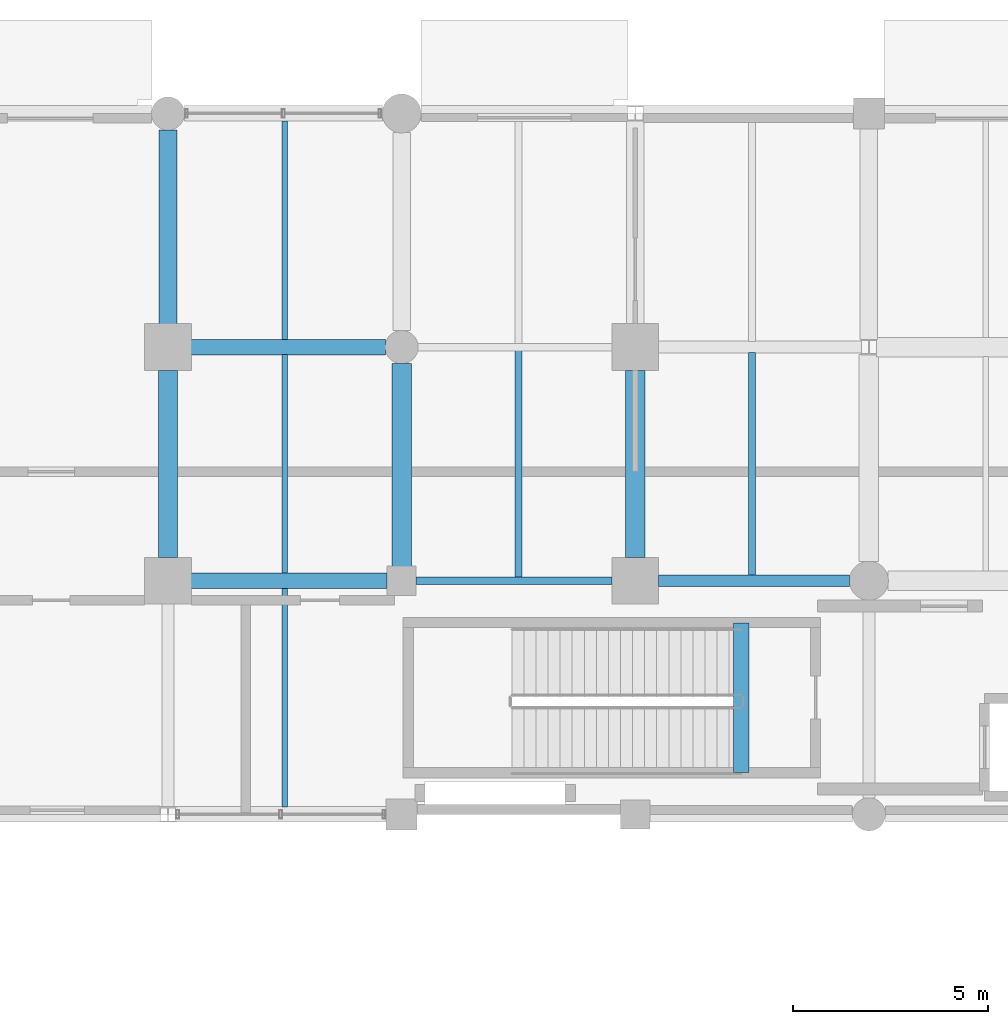
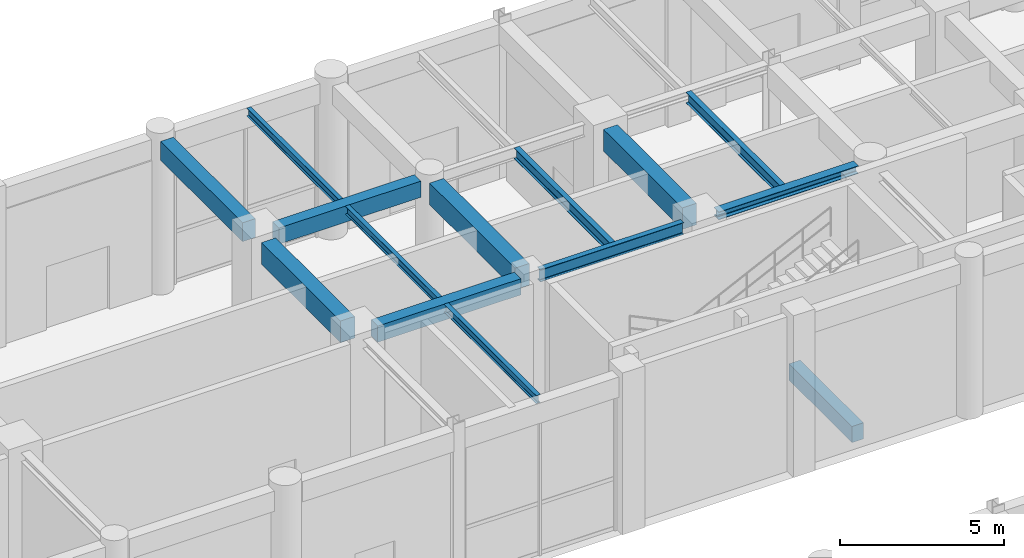
# One storey, part 48 of 106: 14 beams.
"""IFC4 building model written with IfcOpenShell, lengths in metres."""

from ifc_helpers import new_model, si_unit, direction, frame, origin, origin_2d, place, context, subcontext, project, spatial, rectangle, i_section, extrude, material, material_profile, profile_set, type_object, element, save


model = new_model("IFC4")

# Units and contexts
model_context = context("Model", 3, precision=1e-05, world=origin(), true_north=direction((0.0, 1.0)))
body_context = subcontext(model_context, "Body", "Model", "MODEL_VIEW")
ifc_project = project(units=[si_unit("LENGTHUNIT", "METRE"), si_unit("AREAUNIT", "SQUARE_METRE"), si_unit("VOLUMEUNIT", "CUBIC_METRE"), si_unit("PLANEANGLEUNIT", "RADIAN"), si_unit("MASSUNIT", "GRAM", prefix="KILO"), si_unit("THERMODYNAMICTEMPERATUREUNIT", "KELVIN"), si_unit("POWERUNIT", "WATT")], contexts=[model_context])

# Site, building, storey
site_placement = place(None, origin())
site = spatial("IfcSite", under=ifc_project, at=site_placement, CompositionType="ELEMENT")
building_placement = place(site_placement, origin())
building = spatial("IfcBuilding", under=site, at=building_placement, Name="Phaisarnlok Congress Hotel", CompositionType="ELEMENT")
storey_placement = place(building_placement, origin())
storey = spatial("IfcBuildingStorey", under=building, at=storey_placement, Name="L00", CompositionType="ELEMENT", Elevation=0.0)

# Beams
ifc_material_1 = material(Name="Concrete C40/50", Category="concrete")
ifc_material_profile_1 = material_profile(ifc_material_1, rectangle(XDim=0.39990234375, YDim=0.60009765625, at=origin_2d()), Name="RC 400x600")
ifc_profile_set_1 = profile_set([ifc_material_profile_1], Name="Concrete C40/50")
beam_type_1 = type_object("IfcBeamType", Name="BM-RC-400x600", PredefinedType="BEAM", material=ifc_profile_set_1)
beam_1_placement = place(storey_placement, frame((96.594970703125, 114.0, 5.43994140625), z_axis=(1.0, 0.0, 0.0), x_axis=(0.0, 1.0, 0.0)))
element("IfcBeam", 1, at=beam_1_placement, inside=storey, type_object=beam_type_1, Name="Beam B-02", PredefinedType="BEAM", context=body_context, shape_type="SweptSolid", body=[
    extrude(rectangle(XDim=0.39990234375, YDim=0.60009765625, at=origin_2d()), origin(), (0.0, 0.0, 1.0), 5.034912109375),
])
beam_2_placement = place(storey_placement, frame((96.594970703125, 120.0, 5.43994140625), z_axis=(1.0, 0.0, 0.0), x_axis=(0.0, 1.0, 0.0)))
element("IfcBeam", 2, at=beam_2_placement, inside=storey, type_object=beam_type_1, Name="Beam B-02", PredefinedType="BEAM", context=body_context, shape_type="SweptSolid", body=[
    extrude(rectangle(XDim=0.39990234375, YDim=0.60009765625, at=origin_2d()), origin(), (0.0, 0.0, 1.0), 4.985107421875),
])
beam_3_placement = place(storey_placement, frame((110.719970703125, 109.080078125, -0.300048828125), z_axis=(0.0, 1.0, 0.0), x_axis=(-1.0, 0.0, 0.0)))
element("IfcBeam", 3, at=beam_3_placement, inside=storey, type_object=beam_type_1, Name="Stair landing header beam B-02 (CORE-4 L00)", PredefinedType="BEAM", context=body_context, shape_type="SweptSolid", body=[
    extrude(rectangle(XDim=0.39990234375, YDim=0.60009765625, at=origin_2d()), origin(), (0.0, 0.0, 1.0), 3.83984375),
])
ifc_material_profile_2 = material_profile(ifc_material_1, rectangle(XDim=0.449951171875, YDim=0.699951171875, at=origin_2d()), Name="RC 450x700")
ifc_profile_set_2 = profile_set([ifc_material_profile_2], Name="Concrete C40/50")
beam_type_2 = type_object("IfcBeamType", Name="BM-RC-450x700", PredefinedType="BEAM", material=ifc_profile_set_2)
beam_4_placement = place(storey_placement, frame((96.0, 120.594970703125, 5.389892578125), z_axis=(0.0, 1.0, 0.0), x_axis=(-1.0, 0.0, 0.0)))
element("IfcBeam", 4, at=beam_4_placement, inside=storey, type_object=beam_type_2, Name="Beam B-03", PredefinedType="BEAM", context=body_context, shape_type="SweptSolid", body=[
    extrude(rectangle(XDim=0.449951171875, YDim=0.699951171875, at=origin_2d()), origin(), (0.0, 0.0, 1.0), 4.985107421875),
])
ifc_material_profile_3 = material_profile(ifc_material_1, rectangle(XDim=0.5, YDim=0.800048828125, at=origin_2d()), Name="RC 500x800")
ifc_profile_set_3 = profile_set([ifc_material_profile_3], Name="Concrete C40/50")
beam_type_3 = type_object("IfcBeamType", Name="BM-RC-500x800", PredefinedType="BEAM", material=ifc_profile_set_3)
beam_5_placement = place(storey_placement, frame((96.0, 114.594970703125, 5.340087890625), z_axis=(0.0, 1.0, 0.0), x_axis=(-1.0, 0.0, 0.0)))
element("IfcBeam", 5, at=beam_5_placement, inside=storey, type_object=beam_type_3, Name="Beam B-04", PredefinedType="BEAM", context=body_context, shape_type="SweptSolid", body=[
    extrude(rectangle(XDim=0.5, YDim=0.800048828125, at=origin_2d()), origin(), (0.0, 0.0, 1.0), 4.81005859375),
])
beam_6_placement = place(storey_placement, frame((102.0, 114.3701171875, 5.340087890625), z_axis=(0.0, 1.0, 0.0), x_axis=(-1.0, 0.0, 0.0)))
element("IfcBeam", 6, at=beam_6_placement, inside=storey, type_object=beam_type_3, Name="Beam B-04", PredefinedType="BEAM", context=body_context, shape_type="SweptSolid", body=[
    extrude(rectangle(XDim=0.5, YDim=0.800048828125, at=origin_2d()), origin(), (0.0, 0.0, 1.0), 5.2099609375),
])
beam_7_placement = place(storey_placement, frame((108.0, 114.594970703125, 5.340087890625), z_axis=(0.0, 1.0, 0.0), x_axis=(-1.0, 0.0, 0.0)))
element("IfcBeam", 7, at=beam_7_placement, inside=storey, type_object=beam_type_3, Name="Beam B-04", PredefinedType="BEAM", context=body_context, shape_type="SweptSolid", body=[
    extrude(rectangle(XDim=0.5, YDim=0.800048828125, at=origin_2d()), origin(), (0.0, 0.0, 1.0), 4.81005859375),
])
ifc_material_2 = material(Name="Steel S355", Category="steel")
ifc_material_profile_4 = material_profile(ifc_material_2, i_section(OverallWidth=0.300048828125, OverallDepth=0.2900390625, WebThickness=0.008544921875, FlangeThickness=0.013916015625, FilletRadius=0.027099609375, at=origin_2d()), Name="HEA 300")
ifc_profile_set_4 = profile_set([ifc_material_profile_4], Name="Steel S355")
beam_type_4 = type_object("IfcBeamType", Name="BM-STL-HEA300", PredefinedType="BEAM", material=ifc_profile_set_4)
beam_8_placement = place(storey_placement, frame((108.594970703125, 114.0, 5.594970703125), z_axis=(1.0, 0.0, 0.0), x_axis=(0.0, 1.0, 0.0)))
element("IfcBeam", 8, at=beam_8_placement, inside=storey, type_object=beam_type_4, Name="Beam SB-05", PredefinedType="BEAM", context=body_context, shape_type="SweptSolid", body=[
    extrude(i_section(OverallWidth=0.300048828125, OverallDepth=0.2900390625, WebThickness=0.008544921875, FlangeThickness=0.013916015625, FilletRadius=0.027099609375, at=origin_2d()), origin(), (0.0, 0.0, 1.0), 4.909912109375),
])
ifc_material_profile_5 = material_profile(ifc_material_2, i_section(OverallWidth=0.18994140625, OverallDepth=0.449951171875, WebThickness=0.009521484375, FlangeThickness=0.0146484375, FilletRadius=0.02099609375, at=origin_2d()), Name="IPE 450")
ifc_profile_set_5 = profile_set([ifc_material_profile_5], Name="Steel S355")
beam_type_5 = type_object("IfcBeamType", Name="BM-STL-IPE450", PredefinedType="BEAM", material=ifc_profile_set_5)
beam_9_placement = place(storey_placement, frame((102.3701171875, 114.0, 5.514892578125), z_axis=(1.0, 0.0, 0.0), x_axis=(0.0, 1.0, 0.0)))
element("IfcBeam", 9, at=beam_9_placement, inside=storey, type_object=beam_type_5, Name="Beam SB-01", PredefinedType="BEAM", context=body_context, shape_type="SweptSolid", body=[
    extrude(i_section(OverallWidth=0.18994140625, OverallDepth=0.449951171875, WebThickness=0.009521484375, FlangeThickness=0.0146484375, FilletRadius=0.02099609375, at=origin_2d()), origin(), (0.0, 0.0, 1.0), 5.034912109375),
])
ifc_material_profile_6 = material_profile(ifc_material_2, i_section(OverallWidth=0.14990234375, OverallDepth=0.300048828125, WebThickness=0.007080078125, FlangeThickness=0.0107421875, FilletRadius=0.014892578125, at=origin_2d()), Name="IPE 300")
ifc_profile_set_6 = profile_set([ifc_material_profile_6], Name="Steel S355")
beam_type_6 = type_object("IfcBeamType", Name="JS-STL-IPE300", PredefinedType="JOIST", material=ifc_profile_set_6)
for number, where, z_axis, x_axis, name in (
    (10, (99.0, 108.195068359375, 5.590087890625), (0.0, 1.0, 0.0), (-1.0, 0.0, 0.0), "Secondary floor joist J-03"),
    (11, (99.0, 114.195068359375, 5.590087890625), (0.0, 1.0, 0.0), (-1.0, 0.0, 0.0), "Secondary floor joist J-03"),
    (12, (99.0, 120.195068359375, 5.590087890625), (0.0, 1.0, 0.0), (-1.0, 0.0, 0.0), "Secondary floor joist J-03"),
):
    element("IfcBeam", number, at=place(storey_placement, frame(where, z_axis=z_axis, x_axis=x_axis)), inside=storey, type_object=beam_type_6, Name=name, PredefinedType="JOIST", context=body_context, shape_type="SweptSolid", body=[
        extrude(i_section(OverallWidth=0.14990234375, OverallDepth=0.300048828125, WebThickness=0.007080078125, FlangeThickness=0.0107421875, FilletRadius=0.014892578125, at=origin_2d()), origin(), (0.0, 0.0, 1.0), 5.60986328125),
    ])
ifc_material_profile_7 = material_profile(ifc_material_2, i_section(OverallWidth=0.179931640625, OverallDepth=0.39990234375, WebThickness=0.008544921875, FlangeThickness=0.013427734375, FilletRadius=0.02099609375, at=origin_2d()), Name="IPE 400")
ifc_profile_set_7 = profile_set([ifc_material_profile_7], Name="Steel S355")
beam_type_7 = type_object("IfcBeamType", Name="JS-STL-IPE400", PredefinedType="JOIST", material=ifc_profile_set_7)
beam_10_placement = place(storey_placement, frame((105.0, 114.090087890625, 5.5400390625), z_axis=(0.0, 1.0, 0.0), x_axis=(-1.0, 0.0, 0.0)))
element("IfcBeam", 13, at=beam_10_placement, inside=storey, type_object=beam_type_7, Name="Secondary floor joist J-05", PredefinedType="JOIST", context=body_context, shape_type="SweptSolid", body=[
    extrude(i_section(OverallWidth=0.179931640625, OverallDepth=0.39990234375, WebThickness=0.008544921875, FlangeThickness=0.013427734375, FilletRadius=0.02099609375, at=origin_2d()), origin(), (0.0, 0.0, 1.0), 5.81982421875),
])
beam_11_placement = place(storey_placement, frame((111.0, 114.14501953125, 5.5400390625), z_axis=(0.0, 1.0, 0.0), x_axis=(-1.0, 0.0, 0.0)))
element("IfcBeam", 14, at=beam_11_placement, inside=storey, type_object=beam_type_7, Name="Secondary floor joist J-05", PredefinedType="JOIST", context=body_context, shape_type="SweptSolid", body=[
    extrude(i_section(OverallWidth=0.179931640625, OverallDepth=0.39990234375, WebThickness=0.008544921875, FlangeThickness=0.013427734375, FilletRadius=0.02099609375, at=origin_2d()), origin(), (0.0, 0.0, 1.0), 5.7099609375),
])

save(model, "model.ifc")
